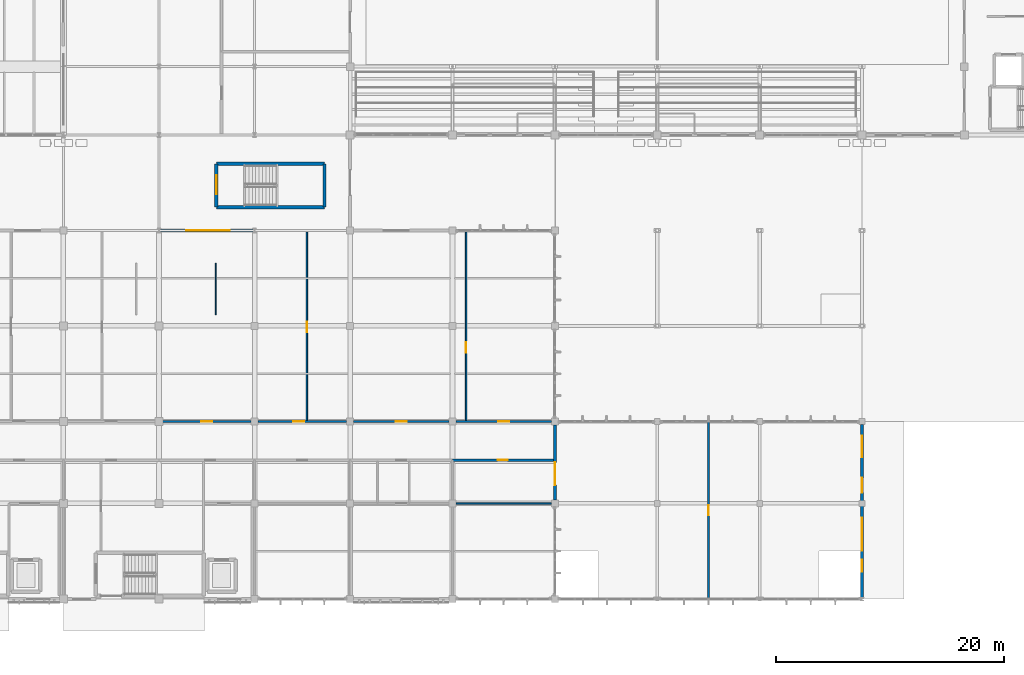
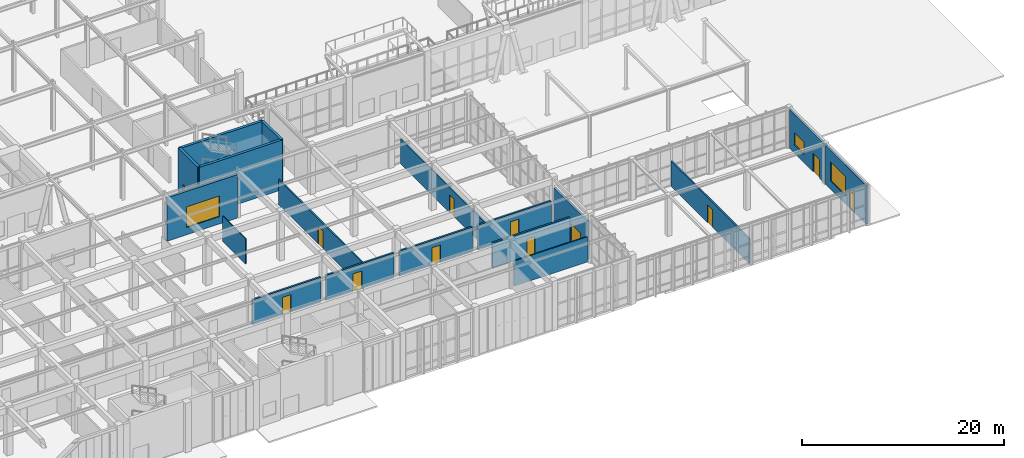
# One storey, part 78 of 110: 18 walls, 12 doors, 3 windows, 15 openings.
"""IFC4 building model written with IfcOpenShell, lengths in metres."""

import ifcopenshell
import ifcopenshell.guid

model = None  # the IFC model being written
_history = None  # IfcOwnerHistory: only IFC2X3 demands one
_inside = {}  # id of a spatial element -> (the spatial element, [elements in it])
_under = {}  # id of a project, library or spatial element -> (it, [spatial elements below it])
_declared = {}  # id of a project -> (the project, [libraries it declares])
_typed = {}  # id of a type object -> (the type object, [elements of that type])
_made_of = {}  # id of a material, layer set ... -> (it, [elements and type objects made of it])


def new_model(schema):
    """Start an empty IFC model of exactly this schema.

    Asked for "IFC4X3", IfcOpenShell would pick the latest addendum, in which some entities
    have other attributes; the version numbers below select the first issue.
    IFC2X3 requires an IfcOwnerHistory on every rooted entity: one is made here for all.
    """
    global model, _history
    if schema == "IFC4X3":
        model = ifcopenshell.file(schema_version=(4, 3, 0, 0))
    else:
        model = ifcopenshell.file(schema=schema)
    _inside.clear()
    _under.clear()
    _declared.clear()
    _typed.clear()
    _made_of.clear()
    _history = None
    if model.schema == "IFC2X3":
        org = make("IfcOrganization", Name="unknown")
        user = make(
            "IfcPersonAndOrganization",
            ThePerson=make("IfcPerson", FamilyName="unknown"),
            TheOrganization=org,
        )
        app = make(
            "IfcApplication",
            ApplicationDeveloper=org,
            Version="unknown",
            ApplicationFullName="unknown",
            ApplicationIdentifier="unknown",
        )
        _history = make(
            "IfcOwnerHistory",
            OwningUser=user,
            OwningApplication=app,
            ChangeAction="ADDED",
            CreationDate=0,
        )
    return model


def make(cls, **values):
    """One entity of the class cls with the attributes given. An attribute that is None is left unset."""
    return model.create_entity(
        cls, **{name: value for name, value in values.items() if value is not None}
    )


def rooted(cls, **values):
    """An entity with a GlobalId (a new one), such as an element, a storey or a relation."""
    return make(cls, GlobalId=ifcopenshell.guid.new(), OwnerHistory=_history, **values)


def si_unit(unit_type, name, prefix=None):
    """IfcSIUnit, for example si_unit("LENGTHUNIT", "METRE", prefix="MILLI")."""
    return make("IfcSIUnit", UnitType=unit_type, Prefix=prefix, Name=name)


def assignment(units):
    """IfcUnitAssignment: the units of a project."""
    return None if units is None else make("IfcUnitAssignment", Units=units)


def point(xyz):
    """IfcCartesianPoint."""
    return None if xyz is None else make("IfcCartesianPoint", Coordinates=xyz)


def direction(xyz):
    """IfcDirection."""
    return None if xyz is None else make("IfcDirection", DirectionRatios=xyz)


def frame(location, z_axis=None, x_axis=None):
    """IfcAxis2Placement3D, a coordinate frame: its origin and axes. An axis left out is left unset."""
    return make(
        "IfcAxis2Placement3D",
        Location=point(location),
        Axis=direction(z_axis),
        RefDirection=direction(x_axis),
    )


def frame_2d(location, x_axis=None):
    """IfcAxis2Placement2D, a coordinate frame in the plane: its origin and x axis."""
    return make(
        "IfcAxis2Placement2D", Location=point(location), RefDirection=direction(x_axis)
    )


def origin():
    """The frame at (0, 0, 0) with its axes left unset."""
    return frame((0.0, 0.0, 0.0))


def place(relative_to, where):
    """IfcLocalPlacement: puts the frame where relative to a parent placement (None: the world)."""
    return make(
        "IfcLocalPlacement", PlacementRelTo=relative_to, RelativePlacement=where
    )


def context(
    kind, dimensions, precision=None, world=None, true_north=None, identifier=None
):
    """IfcGeometricRepresentationContext, for example the 3D "Model" context."""
    return make(
        "IfcGeometricRepresentationContext",
        ContextIdentifier=identifier,
        ContextType=kind,
        CoordinateSpaceDimension=dimensions,
        Precision=precision,
        WorldCoordinateSystem=world,
        TrueNorth=true_north,
    )


def subcontext(parent, identifier, kind, view, scale=None):
    """IfcGeometricRepresentationSubContext, for example "Body" below "Model"."""
    return make(
        "IfcGeometricRepresentationSubContext",
        ContextIdentifier=identifier,
        ContextType=kind,
        ParentContext=parent,
        TargetScale=scale,
        TargetView=view,
    )


def project(units=None, contexts=None):
    """IfcProject with its units and contexts."""
    return rooted(
        "IfcProject",
        Name="project",
        RepresentationContexts=contexts,
        UnitsInContext=assignment(units),
    )


def spatial(cls, under=None, at=None, **own):
    """A site, building, storey or space (cls), placed at a placement, below another one or the project."""
    s = rooted(cls, ObjectPlacement=at, **own)
    if under is not None:
        _under.setdefault(under.id(), (under, []))[1].append(s)
    return s


def profile(cls, at=None, kind="AREA", **sizes):
    """A parametric profile (cls). Its sizes go by their IFC names, for example OverallWidth=200.0."""
    return make(cls, ProfileType=kind, Position=at, **sizes)


def rectangle(**sizes):
    """IfcRectangleProfileDef."""
    return profile("IfcRectangleProfileDef", **sizes)


def extrude(swept, where, along, depth):
    """IfcExtrudedAreaSolid: the profile swept, set in the frame where, extruded along a direction by depth."""
    return make(
        "IfcExtrudedAreaSolid",
        SweptArea=swept,
        Position=where,
        ExtrudedDirection=direction(along),
        Depth=depth,
    )


def shape(context_of_items, identifier, shape_type, items):
    """IfcShapeRepresentation: the items that make up one representation, for example the "Body"."""
    return make(
        "IfcShapeRepresentation",
        ContextOfItems=context_of_items,
        RepresentationIdentifier=identifier,
        RepresentationType=shape_type,
        Items=items,
    )


def material(Name=None, Category=None):
    """IfcMaterial."""
    return make("IfcMaterial", Name=Name, Category=Category)


def layer(
    of_material, thickness, ventilated=None, Name=None, Category=None, Priority=None
):
    """IfcMaterialLayer: one layer of a wall or slab, of a material (None: an air gap)."""
    return make(
        "IfcMaterialLayer",
        Material=of_material,
        LayerThickness=thickness,
        IsVentilated=ventilated,
        Name=Name,
        Category=Category,
        Priority=Priority,
    )


def layer_set(layers, Name=None):
    """IfcMaterialLayerSet."""
    return make("IfcMaterialLayerSet", MaterialLayers=layers, LayerSetName=Name)


def made_of(thing, what):
    """Note that an element or type object is made of a material, layer set ...; save() writes the relation."""
    if what is not None:
        _made_of.setdefault(what.id(), (what, []))[1].append(thing)
    return thing


def type_object(cls, material=None, **own):
    """A type object (cls), such as IfcWallType, which elements share."""
    return made_of(rooted(cls, **own), material)


def element(
    cls,
    number,
    at=None,
    inside=None,
    cuts=None,
    type_object=None,
    material=None,
    context=None,
    identifier="Body",
    shape_type=None,
    held_by="IfcProductDefinitionShape",
    body=None,
    shapes=None,
    **own,
):
    """One element of the class cls, such as IfcWall. Its Tag is "e" and its number.

    at: its placement. inside: the storey or other place that contains it. cuts: it is an
    opening in that element (IfcRelVoidsElement). A single representation is given by context,
    identifier, shape_type and body (its items); several are given by shapes. held_by: the class
    of the entity that holds the representations. save() writes the other relations.
    """
    e = rooted(cls, Tag="e%d" % number, ObjectPlacement=at, **own)
    if body is not None:
        shapes = [shape(context, identifier, shape_type, body)]
    if shapes is not None:
        e.Representation = make(held_by, Representations=shapes)
    if inside is not None:
        _inside.setdefault(inside.id(), (inside, []))[1].append(e)
    if cuts is not None:
        rooted(
            "IfcRelVoidsElement", RelatingBuildingElement=cuts, RelatedOpeningElement=e
        )
    if type_object is not None:
        _typed.setdefault(type_object.id(), (type_object, []))[1].append(e)
    return made_of(e, material)


def fill(opening, filler):
    """IfcRelFillsElement: the door or window that sits in an opening."""
    return rooted(
        "IfcRelFillsElement",
        RelatingOpeningElement=opening,
        RelatedBuildingElement=filler,
    )


def aggregate(whole, parts):
    """IfcRelAggregates: a whole, such as a stair, and the parts it consists of."""
    return rooted("IfcRelAggregates", RelatingObject=whole, RelatedObjects=parts)


def save(model, path):
    """Write the relations noted so far, then the file.

    IfcRelAggregates (storeys below a building ...), IfcRelContainedInSpatialStructure (elements
    in a storey), IfcRelDefinesByType, IfcRelAssociatesMaterial and IfcRelDeclares: one each for
    every whole, place, type object, material and project.
    """
    for whole, parts in _under.values():
        aggregate(whole, parts)
    for where, things in _inside.values():
        rooted(
            "IfcRelContainedInSpatialStructure",
            RelatedElements=things,
            RelatingStructure=where,
        )
    for kind, things in _typed.values():
        rooted("IfcRelDefinesByType", RelatedObjects=things, RelatingType=kind)
    for what, things in _made_of.values():
        rooted("IfcRelAssociatesMaterial", RelatedObjects=things, RelatingMaterial=what)
    for by, libraries in _declared.values():
        rooted("IfcRelDeclares", RelatingContext=by, RelatedDefinitions=libraries)
    model.write(path)


model = new_model("IFC4")

# Units and contexts
model_context = context("Model", 3, precision=1e-05, world=origin(), true_north=direction((0.0, 1.0)))
body_context = subcontext(model_context, "Body", "Model", "MODEL_VIEW")
ifc_project = project(units=[si_unit("LENGTHUNIT", "METRE"), si_unit("AREAUNIT", "SQUARE_METRE"), si_unit("VOLUMEUNIT", "CUBIC_METRE"), si_unit("PLANEANGLEUNIT", "RADIAN"), si_unit("MASSUNIT", "GRAM", prefix="KILO")], contexts=[model_context])

# Site, building, storey
site_placement = place(None, origin())
site = spatial("IfcSite", under=ifc_project, at=site_placement, CompositionType="ELEMENT")
building_placement = place(site_placement, origin())
building = spatial("IfcBuilding", under=site, at=building_placement, Name="Tizgana Railside Sports Hall", CompositionType="ELEMENT")
storey_placement = place(building_placement, origin())
storey = spatial("IfcBuildingStorey", under=building, at=storey_placement, Name="L00", CompositionType="ELEMENT", Elevation=0.0)

# Wall, opening, door
ifc_material_1 = material(Name="Masonry blockwork", Category="masonry")
ifc_layer_1 = layer(ifc_material_1, 0.14990234375, Name="Masonry blockwork")
ifc_layer_set_1 = layer_set([ifc_layer_1], Name="Masonry blockwork")
wall_type_1 = type_object("IfcWallType", Name="Changing Wet-Room Partition 150", PredefinedType="STANDARD", material=ifc_layer_set_1)
wall_1_placement = place(storey_placement, frame((76.0, 15.60009765625, 0.0), z_axis=(0.0, 0.0, 1.0), x_axis=(0.0, 1.0, 0.0)))
wall_1 = element("IfcWall", 1, at=wall_1_placement, inside=storey, type_object=wall_type_1, Name="L00 Partition PWAL-0026", PredefinedType="STANDARD", context=body_context, shape_type="SweptSolid", body=[
    extrude(rectangle(XDim=16.64990234375, YDim=0.14990234375, at=frame_2d((8.324951171875, 0.0))), origin(), (0.0, 0.0, 1.0), 3.050048828125),
])
opening_1_placement = place(wall_1_placement, frame((7.864990234375, 0.0, 0.0)))
opening_1 = element("IfcOpeningElement", 2, at=opening_1_placement, cuts=wall_1, Name="Opening D-0128", PredefinedType="OPENING", context=body_context, shape_type="SweptSolid", body=[
    extrude(rectangle(XDim=0.919921875, YDim=2.14990234375, at=frame_2d((0.4599609375, 1.074951171875))), frame((0.0, 0.0849609375, 0.0), z_axis=(0.0, -1.0, 0.0), x_axis=(1.0, 0.0, 0.0)), (0.0, 0.0, 1.0), 0.169921875),
])
ifc_material_2 = material(Name="Solid beech timber", Category="wood")
door_type_1 = type_object("IfcDoorType", Name="Consultation & Coaching Door 920x2150", OperationType="NOTDEFINED", PredefinedType="DOOR", material=ifc_material_2)
door_1_placement = place(opening_1_placement, origin())
door_1 = element("IfcDoor", 3, at=door_1_placement, inside=storey, type_object=door_type_1, Name="L00 Door D-0128", OperationType="SINGLE_SWING_RIGHT", OverallHeight=2.14990234375, OverallWidth=0.919921875, PredefinedType="DOOR", context=body_context, shape_type="SweptSolid", body=[
    extrude(rectangle(XDim=0.919921875, YDim=2.14990234375, at=frame_2d((0.4599609375, 1.074951171875))), frame((0.0, 0.02490234375, 0.0), z_axis=(0.0, -1.0, 0.0), x_axis=(1.0, 0.0, 0.0)), (0.0, 0.0, 1.0), 0.050048828125),
])
fill(opening_1, door_1)

wall_2_placement = place(storey_placement, frame((90.0, 15.60009765625, 0.0), z_axis=(0.0, 0.0, 1.0), x_axis=(0.0, 1.0, 0.0)))
wall_2 = element("IfcWall", 4, at=wall_2_placement, inside=storey, type_object=wall_type_1, Name="L00 Partition PWAL-0027", PredefinedType="STANDARD", context=body_context, shape_type="SweptSolid", body=[
    extrude(rectangle(XDim=16.64990234375, YDim=0.14990234375, at=frame_2d((8.324951171875, 0.0))), origin(), (0.0, 0.0, 1.0), 3.050048828125),
])
opening_2_placement = place(wall_2_placement, frame((6.06494140625, 0.0, 0.0)))
opening_2 = element("IfcOpeningElement", 5, at=opening_2_placement, cuts=wall_2, Name="Opening D-0129", PredefinedType="OPENING", context=body_context, shape_type="SweptSolid", body=[
    extrude(rectangle(XDim=0.919921875, YDim=2.14990234375, at=frame_2d((0.4599609375, 1.074951171875))), frame((0.0, 0.0849609375, 0.0), z_axis=(0.0, -1.0, 0.0), x_axis=(1.0, 0.0, 0.0)), (0.0, 0.0, 1.0), 0.169921875),
])
door_2_placement = place(opening_2_placement, origin())
door_2 = element("IfcDoor", 6, at=door_2_placement, inside=storey, type_object=door_type_1, Name="L00 Door D-0129", OperationType="SINGLE_SWING_LEFT", OverallHeight=2.14990234375, OverallWidth=0.919921875, PredefinedType="DOOR", context=body_context, shape_type="SweptSolid", body=[
    extrude(rectangle(XDim=0.919921875, YDim=2.14990234375, at=frame_2d((0.4599609375, 1.074951171875))), frame((0.0, 0.02490234375, 0.0), z_axis=(0.0, -1.0, 0.0), x_axis=(1.0, 0.0, 0.0)), (0.0, 0.0, 1.0), 0.050048828125),
])
fill(opening_2, door_2)

ifc_material_3 = material(Name="Acoustic gypsum stud")
ifc_layer_2 = layer(ifc_material_3, 0.159912109375, Name="Acoustic gypsum stud")
ifc_layer_set_2 = layer_set([ifc_layer_2], Name="Acoustic gypsum stud")
wall_type_2 = type_object("IfcWallType", Name="Clinic Acoustic Partition 160", PredefinedType="STANDARD", material=ifc_layer_set_2)
wall_3_placement = place(storey_placement, frame((111.300048828125, 0.044921875, 0.0), z_axis=(0.0, 0.0, 1.0), x_axis=(0.0, 1.0, 0.0)))
wall_3 = element("IfcWall", 7, at=wall_3_placement, inside=storey, type_object=wall_type_2, Name="L00 Partition PWAL-0341", PredefinedType="STANDARD", context=body_context, shape_type="SweptSolid", body=[
    extrude(rectangle(XDim=15.507568359375, YDim=0.159912109375, at=frame_2d((7.75390625, 0.0))), origin(), (0.0, 0.0, 1.0), 3.050048828125),
])
opening_3_placement = place(wall_3_placement, frame((7.294921875, 0.0, 0.0)))
opening_3 = element("IfcOpeningElement", 8, at=opening_3_placement, cuts=wall_3, Name="Opening D-0306", PredefinedType="OPENING", context=body_context, shape_type="SweptSolid", body=[
    extrude(rectangle(XDim=0.919921875, YDim=2.14990234375, at=frame_2d((0.4599609375, 1.074951171875))), frame((0.0, 0.08984375, 0.0), z_axis=(0.0, -1.0, 0.0), x_axis=(1.0, 0.0, 0.0)), (0.0, 0.0, 1.0), 0.179931640625),
])
door_3_placement = place(opening_3_placement, origin())
door_3 = element("IfcDoor", 9, at=door_3_placement, inside=storey, type_object=door_type_1, Name="L00 Door D-0306", OperationType="SINGLE_SWING_LEFT", OverallHeight=2.14990234375, OverallWidth=0.919921875, PredefinedType="DOOR", context=body_context, shape_type="SweptSolid", body=[
    extrude(rectangle(XDim=0.919921875, YDim=2.14990234375, at=frame_2d((0.4599609375, 1.074951171875))), frame((0.0, 0.02490234375, 0.0), z_axis=(0.0, -1.0, 0.0), x_axis=(1.0, 0.0, 0.0)), (0.0, 0.0, 1.0), 0.050048828125),
])
fill(opening_3, door_3)

# Walls
ifc_material_4 = material(Name="Concrete C40/50", Category="concrete")
ifc_layer_3 = layer(ifc_material_4, 0.300048828125, Name="Concrete C40/50")
ifc_layer_set_3 = layer_set([ifc_layer_3], Name="Concrete C40/50")
wall_type_3 = type_object("IfcWallType", Name="Core Shear Wall 300", PredefinedType="SHEAR", material=ifc_layer_set_3)
for number, where, z_axis, x_axis, name in (
    (10, (77.550048828125, 34.449951171875, 0.0), (0.0, 0.0, 1.0), (-1.0, 0.0, 0.0), "L00 C10 Shaft Wall S"),
    (11, (68.050048828125, 38.25, 0.0), (0.0, 0.0, 1.0), (1.0, 0.0, 0.0), "L00 C10 Shaft Wall N"),
):
    element("IfcWall", number, at=place(storey_placement, frame(where, z_axis=z_axis, x_axis=x_axis)), inside=storey, type_object=wall_type_3, Name=name, PredefinedType="SHEAR", context=body_context, shape_type="SweptSolid", body=[
        extrude(rectangle(XDim=9.5, YDim=0.300048828125, at=frame_2d((4.75, 0.0))), origin(), (0.0, 0.0, 1.0), 6.0),
    ])

# Wall, opening, door
wall_4_placement = place(storey_placement, frame((68.050048828125, 34.449951171875, 0.0), z_axis=(0.0, 0.0, 1.0), x_axis=(0.0, 1.0, 0.0)))
wall_4 = element("IfcWall", 12, at=wall_4_placement, inside=storey, type_object=wall_type_3, Name="L00 C10 Shaft Wall W", PredefinedType="SHEAR", context=body_context, shape_type="SweptSolid", body=[
    extrude(rectangle(XDim=3.800048828125, YDim=0.300048828125, at=frame_2d((1.89990234375, 0.0))), origin(), (0.0, 0.0, 1.0), 6.0),
])
opening_4_placement = place(wall_4_placement, frame((1.14990234375, 0.0, 0.0)))
opening_4 = element("IfcOpeningElement", 13, at=opening_4_placement, cuts=wall_4, Name="Opening D-0099", PredefinedType="OPENING", context=body_context, shape_type="SweptSolid", body=[
    extrude(rectangle(XDim=1.64990234375, YDim=2.199951171875, at=frame_2d((0.824951171875, 1.10009765625))), frame((0.0, 0.159912109375, 0.0), z_axis=(0.0, -1.0, 0.0), x_axis=(1.0, 0.0, 0.0)), (0.0, 0.0, 1.0), 0.320068359375),
])
ifc_material_5 = material(Name="Timber fire leaf", Category="wood")
door_type_2 = type_object("IfcDoorType", Name="Stair Core Double Fire Door 1650x2200", OperationType="NOTDEFINED", PredefinedType="DOOR", material=ifc_material_5)
door_4_placement = place(opening_4_placement, origin())
door_4 = element("IfcDoor", 14, at=door_4_placement, inside=storey, type_object=door_type_2, Name="L00 Door D-0099", OperationType="DOUBLE_DOOR_SINGLE_SWING", OverallHeight=2.199951171875, OverallWidth=1.64990234375, PredefinedType="DOOR", context=body_context, shape_type="SweptSolid", body=[
    extrude(rectangle(XDim=1.64990234375, YDim=2.199951171875, at=frame_2d((0.824951171875, 1.10009765625))), frame((0.0, 0.02490234375, 0.0), z_axis=(0.0, -1.0, 0.0), x_axis=(1.0, 0.0, 0.0)), (0.0, 0.0, 1.0), 0.050048828125),
])
fill(opening_4, door_4)

# Wall
wall_5_placement = place(storey_placement, frame((77.550048828125, 34.449951171875, 0.0), z_axis=(0.0, 0.0, 1.0), x_axis=(0.0, 1.0, 0.0)))
element("IfcWall", 15, at=wall_5_placement, inside=storey, type_object=wall_type_3, Name="L00 C10 Shaft Wall E", PredefinedType="SHEAR", context=body_context, shape_type="SweptSolid", body=[
    extrude(rectangle(XDim=3.800048828125, YDim=0.300048828125, at=frame_2d((1.89990234375, 0.0))), origin(), (0.0, 0.0, 1.0), 6.0),
])

# Wall, opening, door
ifc_layer_4 = layer(ifc_material_1, 0.199951171875, Name="Masonry blockwork")
ifc_layer_set_4 = layer_set([ifc_layer_4], Name="Masonry blockwork")
wall_type_4 = type_object("IfcWallType", Name="Corridor Compartment Partition 200", PredefinedType="STANDARD", material=ifc_layer_set_4)
wall_6_placement = place(storey_placement, frame((63.300048828125, 15.60009765625, 0.0), z_axis=(0.0, 0.0, 1.0), x_axis=(1.0, 0.0, 0.0)))
wall_6 = element("IfcWall", 16, at=wall_6_placement, inside=storey, type_object=wall_type_4, Name="L00 Partition PWAL-0015", PredefinedType="STANDARD", context=body_context, shape_type="SweptSolid", body=[
    extrude(rectangle(XDim=7.800048828125, YDim=0.199951171875, at=frame_2d((3.89990234375, 0.0))), origin(), (0.0, 0.0, 1.0), 3.050048828125),
])
opening_5_placement = place(wall_6_placement, frame((3.409912109375, 0.0, 0.0)))
opening_5 = element("IfcOpeningElement", 17, at=opening_5_placement, cuts=wall_6, Name="Opening D-0117", PredefinedType="OPENING", context=body_context, shape_type="SweptSolid", body=[
    extrude(rectangle(XDim=0.97998046875, YDim=2.14990234375, at=frame_2d((0.489990234375, 1.074951171875))), frame((0.0, 0.10986328125, 0.0), z_axis=(0.0, -1.0, 0.0), x_axis=(1.0, 0.0, 0.0)), (0.0, 0.0, 1.0), 0.219970703125),
])
door_type_3 = type_object("IfcDoorType", Name="Athlete Changing Room Door 980x2150", OperationType="NOTDEFINED", PredefinedType="DOOR", material=ifc_material_2)
door_5_placement = place(opening_5_placement, origin())
door_5 = element("IfcDoor", 18, at=door_5_placement, inside=storey, type_object=door_type_3, Name="L00 Door D-0117", OperationType="SINGLE_SWING_LEFT", OverallHeight=2.14990234375, OverallWidth=0.97998046875, PredefinedType="DOOR", context=body_context, shape_type="SweptSolid", body=[
    extrude(rectangle(XDim=0.97998046875, YDim=2.14990234375, at=frame_2d((0.489990234375, 1.074951171875))), frame((0.0, 0.02490234375, 0.0), z_axis=(0.0, -1.0, 0.0), x_axis=(1.0, 0.0, 0.0)), (0.0, 0.0, 1.0), 0.050048828125),
])
fill(opening_5, door_5)

wall_7_placement = place(storey_placement, frame((71.699951171875, 15.60009765625, 0.0), z_axis=(0.0, 0.0, 1.0), x_axis=(1.0, 0.0, 0.0)))
wall_7 = element("IfcWall", 19, at=wall_7_placement, inside=storey, type_object=wall_type_4, Name="L00 Partition PWAL-0017", PredefinedType="STANDARD", context=body_context, shape_type="SweptSolid", body=[
    extrude(rectangle(XDim=7.800048828125, YDim=0.199951171875, at=frame_2d((3.89990234375, 0.0))), origin(), (0.0, 0.0, 1.0), 3.050048828125),
])
opening_6_placement = place(wall_7_placement, frame((3.110107421875, 0.0, 0.0)))
opening_6 = element("IfcOpeningElement", 20, at=opening_6_placement, cuts=wall_7, Name="Opening D-0119", PredefinedType="OPENING", context=body_context, shape_type="SweptSolid", body=[
    extrude(rectangle(XDim=0.97998046875, YDim=2.14990234375, at=frame_2d((0.489990234375, 1.074951171875))), frame((0.0, 0.10986328125, 0.0), z_axis=(0.0, -1.0, 0.0), x_axis=(1.0, 0.0, 0.0)), (0.0, 0.0, 1.0), 0.219970703125),
])
door_6_placement = place(opening_6_placement, origin())
door_6 = element("IfcDoor", 21, at=door_6_placement, inside=storey, type_object=door_type_3, Name="L00 Door D-0119", OperationType="SINGLE_SWING_LEFT", OverallHeight=2.14990234375, OverallWidth=0.97998046875, PredefinedType="DOOR", context=body_context, shape_type="SweptSolid", body=[
    extrude(rectangle(XDim=0.97998046875, YDim=2.14990234375, at=frame_2d((0.489990234375, 1.074951171875))), frame((0.0, 0.02490234375, 0.0), z_axis=(0.0, -1.0, 0.0), x_axis=(1.0, 0.0, 0.0)), (0.0, 0.0, 1.0), 0.050048828125),
])
fill(opening_6, door_6)

wall_8_placement = place(storey_placement, frame((80.10009765625, 15.60009765625, 0.0), z_axis=(0.0, 0.0, 1.0), x_axis=(1.0, 0.0, 0.0)))
wall_8 = element("IfcWall", 22, at=wall_8_placement, inside=storey, type_object=wall_type_4, Name="L00 Partition PWAL-0019", PredefinedType="STANDARD", context=body_context, shape_type="SweptSolid", body=[
    extrude(rectangle(XDim=8.39990234375, YDim=0.199951171875, at=frame_2d((4.199951171875, 0.0))), origin(), (0.0, 0.0, 1.0), 3.050048828125),
])
opening_7_placement = place(wall_8_placement, frame((3.7099609375, 0.0, 0.0)))
opening_7 = element("IfcOpeningElement", 23, at=opening_7_placement, cuts=wall_8, Name="Opening D-0121", PredefinedType="OPENING", context=body_context, shape_type="SweptSolid", body=[
    extrude(rectangle(XDim=0.97998046875, YDim=2.14990234375, at=frame_2d((0.489990234375, 1.074951171875))), frame((0.0, 0.10986328125, 0.0), z_axis=(0.0, -1.0, 0.0), x_axis=(1.0, 0.0, 0.0)), (0.0, 0.0, 1.0), 0.219970703125),
])
door_7_placement = place(opening_7_placement, origin())
door_7 = element("IfcDoor", 24, at=door_7_placement, inside=storey, type_object=door_type_3, Name="L00 Door D-0121", OperationType="SINGLE_SWING_LEFT", OverallHeight=2.14990234375, OverallWidth=0.97998046875, PredefinedType="DOOR", context=body_context, shape_type="SweptSolid", body=[
    extrude(rectangle(XDim=0.97998046875, YDim=2.14990234375, at=frame_2d((0.489990234375, 1.074951171875))), frame((0.0, 0.02490234375, 0.0), z_axis=(0.0, -1.0, 0.0), x_axis=(1.0, 0.0, 0.0)), (0.0, 0.0, 1.0), 0.050048828125),
])
fill(opening_7, door_7)

wall_9_placement = place(storey_placement, frame((89.10009765625, 15.60009765625, 0.0), z_axis=(0.0, 0.0, 1.0), x_axis=(1.0, 0.0, 0.0)))
wall_9 = element("IfcWall", 25, at=wall_9_placement, inside=storey, type_object=wall_type_4, Name="L00 Partition PWAL-0021", PredefinedType="STANDARD", context=body_context, shape_type="SweptSolid", body=[
    extrude(rectangle(XDim=8.39990234375, YDim=0.199951171875, at=frame_2d((4.199951171875, 0.0))), origin(), (0.0, 0.0, 1.0), 3.050048828125),
])
opening_8_placement = place(wall_9_placement, frame((3.7099609375, 0.0, 0.0)))
opening_8 = element("IfcOpeningElement", 26, at=opening_8_placement, cuts=wall_9, Name="Opening D-0123", PredefinedType="OPENING", context=body_context, shape_type="SweptSolid", body=[
    extrude(rectangle(XDim=0.97998046875, YDim=2.14990234375, at=frame_2d((0.489990234375, 1.074951171875))), frame((0.0, 0.10986328125, 0.0), z_axis=(0.0, -1.0, 0.0), x_axis=(1.0, 0.0, 0.0)), (0.0, 0.0, 1.0), 0.219970703125),
])
door_8_placement = place(opening_8_placement, origin())
door_8 = element("IfcDoor", 27, at=door_8_placement, inside=storey, type_object=door_type_3, Name="L00 Door D-0123", OperationType="SINGLE_SWING_LEFT", OverallHeight=2.14990234375, OverallWidth=0.97998046875, PredefinedType="DOOR", context=body_context, shape_type="SweptSolid", body=[
    extrude(rectangle(XDim=0.97998046875, YDim=2.14990234375, at=frame_2d((0.489990234375, 1.074951171875))), frame((0.0, 0.02490234375, 0.0), z_axis=(0.0, -1.0, 0.0), x_axis=(1.0, 0.0, 0.0)), (0.0, 0.0, 1.0), 0.050048828125),
])
fill(opening_8, door_8)

wall_10_placement = place(storey_placement, frame((88.800048828125, 12.199951171875, 0.0), z_axis=(0.0, 0.0, 1.0), x_axis=(1.0, 0.0, 0.0)))
wall_10 = element("IfcWall", 28, at=wall_10_placement, inside=storey, type_object=wall_type_4, Name="L00 Partition PWAL-0022", PredefinedType="STANDARD", context=body_context, shape_type="SweptSolid", body=[
    extrude(rectangle(XDim=8.85986328125, YDim=0.199951171875, at=frame_2d((4.429931640625, 0.0))), origin(), (0.0, 0.0, 1.0), 3.050048828125),
])
opening_9_placement = place(wall_10_placement, frame((3.9599609375, 0.0, 0.0)))
opening_9 = element("IfcOpeningElement", 29, at=opening_9_placement, cuts=wall_10, Name="Opening D-0124", PredefinedType="OPENING", context=body_context, shape_type="SweptSolid", body=[
    extrude(rectangle(XDim=0.8798828125, YDim=2.10009765625, at=frame_2d((0.43994140625, 1.050048828125))), frame((0.0, 0.10986328125, 0.0), z_axis=(0.0, -1.0, 0.0), x_axis=(1.0, 0.0, 0.0)), (0.0, 0.0, 1.0), 0.219970703125),
])
door_type_4 = type_object("IfcDoorType", Name="Public & Staff WC Door 880x2100", OperationType="NOTDEFINED", PredefinedType="DOOR", material=ifc_material_2)
door_9_placement = place(opening_9_placement, origin())
door_9 = element("IfcDoor", 30, at=door_9_placement, inside=storey, type_object=door_type_4, Name="L00 Door D-0124", OperationType="SINGLE_SWING_RIGHT", OverallHeight=2.10009765625, OverallWidth=0.8798828125, PredefinedType="DOOR", context=body_context, shape_type="SweptSolid", body=[
    extrude(rectangle(XDim=0.8798828125, YDim=2.10009765625, at=frame_2d((0.43994140625, 1.050048828125))), frame((0.0, 0.02490234375, 0.0), z_axis=(0.0, -1.0, 0.0), x_axis=(1.0, 0.0, 0.0)), (0.0, 0.0, 1.0), 0.050048828125),
])
fill(opening_9, door_9)

# Wall, openings, window, door
ifc_material_6 = material(Name="Cross-laminated timber CL24h", Category="wood")
ifc_layer_5 = layer(ifc_material_6, 0.25, Name="Cross-laminated timber CL24h")
ifc_layer_set_5 = layer_set([ifc_layer_5], Name="Cross-laminated timber CL24h")
wall_type_5 = type_object("IfcWallType", Name="Exterior Clerestory Spandrel 250", PredefinedType="STANDARD", material=ifc_layer_set_5)
wall_11_placement = place(storey_placement, frame((124.800048828125, 8.159912109375, 0.0), z_axis=(0.0, 0.0, 1.0), x_axis=(0.0, -1.0, 0.0)))
wall_11 = element("IfcWall", 31, at=wall_11_placement, inside=storey, type_object=wall_type_5, Name="L00 Exterior Wall EWAL-0136", PredefinedType="STANDARD", context=body_context, shape_type="SweptSolid", body=[
    extrude(rectangle(XDim=8.030029296875, YDim=0.25, at=frame_2d((4.01513671875, 0.0))), origin(), (0.0, 0.0, 1.0), 4.700927734375),
])
opening_10_placement = place(wall_11_placement, frame((4.7099609375, 0.0, 0.0)))
opening_10 = element("IfcOpeningElement", 32, at=opening_10_placement, cuts=wall_11, Name="Opening D-0035", PredefinedType="OPENING", context=body_context, shape_type="SweptSolid", body=[
    extrude(rectangle(XDim=1.050048828125, YDim=2.199951171875, at=frame_2d((0.52490234375, 1.10009765625))), frame((0.0, 0.135009765625, 0.0), z_axis=(0.0, -1.0, 0.0), x_axis=(1.0, 0.0, 0.0)), (0.0, 0.0, 1.0), 0.27001953125),
])
opening_11_placement = place(wall_11_placement, frame((1.010009765625, 0.0, 1.0)))
opening_11 = element("IfcOpeningElement", 33, at=opening_11_placement, cuts=wall_11, Name="Opening W-0115", PredefinedType="OPENING", context=body_context, shape_type="SweptSolid", body=[
    extrude(rectangle(XDim=2.89990234375, YDim=2.300048828125, at=frame_2d((1.449951171875, 1.14990234375))), frame((0.0, 0.135009765625, 0.0), z_axis=(0.0, -1.0, 0.0), x_axis=(1.0, 0.0, 0.0)), (0.0, 0.0, 1.0), 0.27001953125),
])
ifc_material_7 = material(Name="Double low-E laminated glass", Category="glass")
window_type_1 = type_object("IfcWindowType", Name="Forecourt Colonnade Window 2900x2300", PartitioningType="SINGLE_PANEL", PredefinedType="WINDOW", material=ifc_material_7)
window_1_placement = place(opening_11_placement, origin())
window_1 = element("IfcWindow", 34, at=window_1_placement, inside=storey, type_object=window_type_1, Name="L00 Window W-0115", OverallHeight=2.300048828125, OverallWidth=2.89990234375, PartitioningType="SINGLE_PANEL", PredefinedType="WINDOW", context=body_context, shape_type="SweptSolid", body=[
    extrude(rectangle(XDim=2.89990234375, YDim=2.300048828125, at=frame_2d((1.449951171875, 1.14990234375))), frame((0.0, 0.030029296875, 0.0), z_axis=(0.0, -1.0, 0.0), x_axis=(1.0, 0.0, 0.0)), (0.0, 0.0, 1.0), 0.06005859375),
])
fill(opening_11, window_1)
ifc_material_8 = material(Name="Anodised aluminium and glass", Category="aluminium")
door_type_5 = type_object("IfcDoorType", Name="Terrace Single Access Door 1050x2200", OperationType="NOTDEFINED", PredefinedType="DOOR", material=ifc_material_8)
door_10_placement = place(opening_10_placement, origin())
door_10 = element("IfcDoor", 35, at=door_10_placement, inside=storey, type_object=door_type_5, Name="L00 Door D-0035", OperationType="SINGLE_SWING_LEFT", OverallHeight=2.199951171875, OverallWidth=1.050048828125, PredefinedType="DOOR", context=body_context, shape_type="SweptSolid", body=[
    extrude(rectangle(XDim=1.050048828125, YDim=2.199951171875, at=frame_2d((0.52490234375, 1.10009765625))), frame((0.0, 0.02490234375, 0.0), z_axis=(0.0, -1.0, 0.0), x_axis=(1.0, 0.0, 0.0)), (0.0, 0.0, 1.0), 0.050048828125),
])
fill(opening_10, door_10)

# Wall, openings, door, window
wall_12_placement = place(storey_placement, frame((124.800048828125, 15.360107421875, 0.0), z_axis=(0.0, 0.0, 1.0), x_axis=(0.0, -1.0, 0.0)))
wall_12 = element("IfcWall", 36, at=wall_12_placement, inside=storey, type_object=wall_type_5, Name="L00 Exterior Wall EWAL-0137", PredefinedType="STANDARD", context=body_context, shape_type="SweptSolid", body=[
    extrude(rectangle(XDim=7.195068359375, YDim=0.25, at=frame_2d((3.59765625, 0.0))), origin(), (0.0, 0.0, 1.0), 4.700927734375),
])
opening_12_placement = place(wall_12_placement, frame((4.7099609375, 0.0, 0.0)))
opening_12 = element("IfcOpeningElement", 37, at=opening_12_placement, cuts=wall_12, Name="Opening D-0036", PredefinedType="OPENING", context=body_context, shape_type="SweptSolid", body=[
    extrude(rectangle(XDim=1.300048828125, YDim=2.25, at=frame_2d((0.64990234375, 1.125))), frame((0.0, 0.135009765625, 0.0), z_axis=(0.0, -1.0, 0.0), x_axis=(1.0, 0.0, 0.0)), (0.0, 0.0, 1.0), 0.27001953125),
])
opening_13_placement = place(wall_12_placement, frame((1.010009765625, 0.0, 1.0)))
opening_13 = element("IfcOpeningElement", 38, at=opening_13_placement, cuts=wall_12, Name="Opening W-0116", PredefinedType="OPENING", context=body_context, shape_type="SweptSolid", body=[
    extrude(rectangle(XDim=1.89990234375, YDim=1.5, at=frame_2d((0.949951171875, 0.75))), frame((0.0, 0.135009765625, 0.0), z_axis=(0.0, -1.0, 0.0), x_axis=(1.0, 0.0, 0.0)), (0.0, 0.0, 1.0), 0.27001953125),
])
ifc_material_9 = material(Name="Galvanised steel sheet", Category="steel")
door_type_6 = type_object("IfcDoorType", Name="Plant Exterior Louvred Door 1300x2250", OperationType="NOTDEFINED", PredefinedType="DOOR", material=ifc_material_9)
door_11_placement = place(opening_12_placement, origin())
door_11 = element("IfcDoor", 39, at=door_11_placement, inside=storey, type_object=door_type_6, Name="L00 Door D-0036", OperationType="SINGLE_SWING_LEFT", OverallHeight=2.25, OverallWidth=1.300048828125, PredefinedType="DOOR", context=body_context, shape_type="SweptSolid", body=[
    extrude(rectangle(XDim=1.300048828125, YDim=2.25, at=frame_2d((0.64990234375, 1.125))), frame((0.0, 0.02490234375, 0.0), z_axis=(0.0, -1.0, 0.0), x_axis=(1.0, 0.0, 0.0)), (0.0, 0.0, 1.0), 0.050048828125),
])
fill(opening_12, door_11)
window_type_2 = type_object("IfcWindowType", Name="Ticketing Kiosk Window 1900x1500", PartitioningType="SINGLE_PANEL", PredefinedType="WINDOW", material=ifc_material_7)
window_2_placement = place(opening_13_placement, origin())
window_2 = element("IfcWindow", 40, at=window_2_placement, inside=storey, type_object=window_type_2, Name="L00 Window W-0116", OverallHeight=1.5, OverallWidth=1.89990234375, PartitioningType="SINGLE_PANEL", PredefinedType="WINDOW", context=body_context, shape_type="SweptSolid", body=[
    extrude(rectangle(XDim=1.89990234375, YDim=1.5, at=frame_2d((0.949951171875, 0.75))), frame((0.0, 0.030029296875, 0.0), z_axis=(0.0, -1.0, 0.0), x_axis=(1.0, 0.0, 0.0)), (0.0, 0.0, 1.0), 0.06005859375),
])
fill(opening_13, window_2)

# Wall, opening, door
ifc_material_10 = material(Name="Precast concrete C40/50", Category="concrete")
ifc_layer_6 = layer(ifc_material_10, 0.27001953125, Name="Precast concrete C40/50")
ifc_layer_set_6 = layer_set([ifc_layer_6], Name="Precast concrete C40/50")
wall_type_6 = type_object("IfcWallType", Name="Exterior Studio Facade Wall 270", PredefinedType="STANDARD", material=ifc_layer_set_6)
wall_13_placement = place(storey_placement, frame((97.800048828125, 15.31005859375, 0.0), z_axis=(0.0, 0.0, 1.0), x_axis=(0.0, -1.0, 0.0)))
wall_13 = element("IfcWall", 41, at=wall_13_placement, inside=storey, type_object=wall_type_6, Name="L00 Exterior Wall EWAL-0082", PredefinedType="STANDARD", context=body_context, shape_type="SweptSolid", body=[
    extrude(rectangle(XDim=6.6201171875, YDim=0.27001953125, at=frame_2d((3.31005859375, 0.0))), origin(), (0.0, 0.0, 1.0), 4.700927734375),
])
opening_14_placement = place(wall_13_placement, frame((3.31005859375, 0.0, 0.0)))
opening_14 = element("IfcOpeningElement", 42, at=opening_14_placement, cuts=wall_13, Name="Opening D-0023", PredefinedType="OPENING", context=body_context, shape_type="SweptSolid", body=[
    extrude(rectangle(XDim=2.0, YDim=2.39990234375, at=frame_2d((1.0, 1.199951171875))), frame((0.0, 0.14501953125, 0.0), z_axis=(0.0, -1.0, 0.0), x_axis=(1.0, 0.0, 0.0)), (0.0, 0.0, 1.0), 0.2900390625),
])
door_type_7 = type_object("IfcDoorType", Name="Concourse Double Exit Door 2000x2400", OperationType="NOTDEFINED", PredefinedType="DOOR", material=ifc_material_8)
door_12_placement = place(opening_14_placement, origin())
door_12 = element("IfcDoor", 43, at=door_12_placement, inside=storey, type_object=door_type_7, Name="L00 Door D-0023", OperationType="DOUBLE_DOOR_SINGLE_SWING", OverallHeight=2.39990234375, OverallWidth=2.0, PredefinedType="DOOR", context=body_context, shape_type="SweptSolid", body=[
    extrude(rectangle(XDim=2.0, YDim=2.39990234375, at=frame_2d((1.0, 1.199951171875))), frame((0.0, 0.02490234375, 0.0), z_axis=(0.0, -1.0, 0.0), x_axis=(1.0, 0.0, 0.0)), (0.0, 0.0, 1.0), 0.050048828125),
])
fill(opening_14, door_12)

# Wall, opening, window
wall_14_placement = place(storey_placement, frame((71.260009765625, 32.39990234375, 0.0), z_axis=(0.0, 0.0, 1.0), x_axis=(-1.0, 0.0, 0.0)))
wall_14 = element("IfcWall", 44, at=wall_14_placement, inside=storey, type_object=wall_type_6, Name="L00 Exterior Wall EWAL-0149", PredefinedType="STANDARD", context=body_context, shape_type="SweptSolid", body=[
    extrude(rectangle(XDim=8.1201171875, YDim=0.27001953125, at=frame_2d((4.06005859375, 0.0))), origin(), (0.0, 0.0, 1.0), 5.260986328125),
])
opening_15_placement = place(wall_14_placement, frame((2.06005859375, 0.0, 0.89990234375)))
opening_15 = element("IfcOpeningElement", 45, at=opening_15_placement, cuts=wall_14, Name="Opening W-0128", PredefinedType="OPENING", context=body_context, shape_type="SweptSolid", body=[
    extrude(rectangle(XDim=3.800048828125, YDim=2.5, at=frame_2d((1.89990234375, 1.25))), frame((0.0, 0.14501953125, 0.0), z_axis=(0.0, -1.0, 0.0), x_axis=(1.0, 0.0, 0.0)), (0.0, 0.0, 1.0), 0.2900390625),
])
window_type_3 = type_object("IfcWindowType", Name="Cafe Forecourt Picture Window 3800x2500", PartitioningType="SINGLE_PANEL", PredefinedType="WINDOW", material=ifc_material_7)
window_3_placement = place(opening_15_placement, origin())
window_3 = element("IfcWindow", 46, at=window_3_placement, inside=storey, type_object=window_type_3, Name="L00 Window W-0128", OverallHeight=2.5, OverallWidth=3.800048828125, PartitioningType="SINGLE_PANEL", PredefinedType="WINDOW", context=body_context, shape_type="SweptSolid", body=[
    extrude(rectangle(XDim=3.800048828125, YDim=2.5, at=frame_2d((1.89990234375, 1.25))), frame((0.0, 0.030029296875, 0.0), z_axis=(0.0, -1.0, 0.0), x_axis=(1.0, 0.0, 0.0)), (0.0, 0.0, 1.0), 0.06005859375),
])
fill(opening_15, window_3)

# Walls
ifc_layer_7 = layer(ifc_material_3, 0.1298828125, Name="Acoustic gypsum stud")
ifc_layer_set_7 = layer_set([ifc_layer_7], Name="Acoustic gypsum stud")
wall_type_7 = type_object("IfcWallType", Name="General Interior Partition 130", PredefinedType="STANDARD", material=ifc_layer_set_7)
wall_15_placement = place(storey_placement, frame((89.110107421875, 8.39990234375, 0.0), z_axis=(0.0, 0.0, 1.0), x_axis=(1.0, 0.0, 0.0)))
element("IfcWall", 47, at=wall_15_placement, inside=storey, type_object=wall_type_7, Name="L00 Partition PWAL-0042", PredefinedType="STANDARD", context=body_context, shape_type="SweptSolid", body=[
    extrude(rectangle(XDim=8.3798828125, YDim=0.1298828125, at=frame_2d((4.18994140625, 0.0))), origin(), (0.0, 0.0, 1.0), 3.050048828125),
])
ifc_layer_8 = layer(ifc_material_3, 0.10009765625, Name="Acoustic gypsum stud")
ifc_layer_set_8 = layer_set([ifc_layer_8], Name="Acoustic gypsum stud")
wall_type_8 = type_object("IfcWallType", Name="Locker Alcove Partition 100", PredefinedType="STANDARD", material=ifc_layer_set_8)
wall_16_placement = place(storey_placement, frame((68.0, 25.0, 0.0), z_axis=(0.0, 0.0, 1.0), x_axis=(0.0, 1.0, 0.0)))
element("IfcWall", 48, at=wall_16_placement, inside=storey, type_object=wall_type_8, Name="L00 Partition PWAL-0050", PredefinedType="STANDARD", context=body_context, shape_type="SweptSolid", body=[
    extrude(rectangle(XDim=4.5, YDim=0.10009765625, at=frame_2d((2.25, 0.0))), origin(), (0.0, 0.0, 1.0), 3.050048828125),
])

save(model, "model.ifc")
